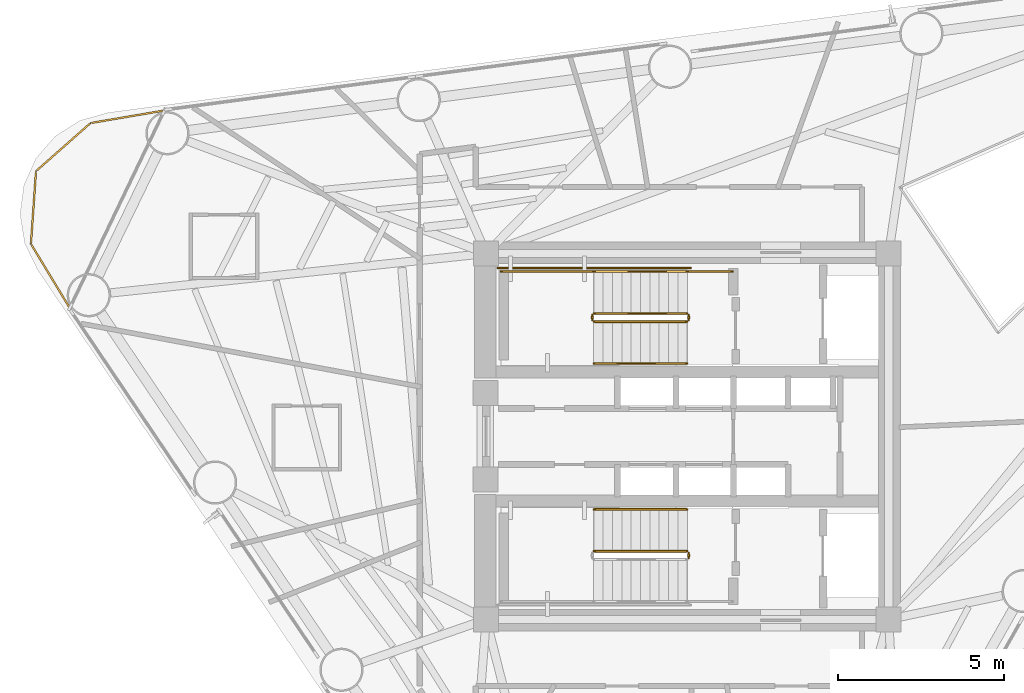
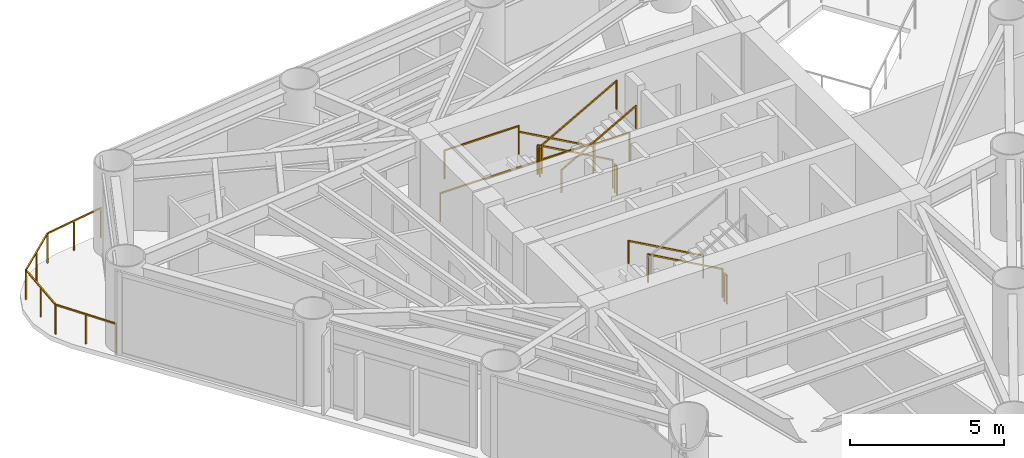
# One storey, part 8 of 9: 13 railings.
"""IFC4 building model written with IfcOpenShell, lengths in metres."""

from ifc_helpers import new_model, si_unit, direction, frame, origin, origin_2d, place, context, subcontext, project, spatial, rectangle, extrude, material, type_object, element, save


model = new_model("IFC4")

# Units and contexts
model_context = context("Model", 3, precision=1e-05, world=origin(), true_north=direction((0.0, 1.0)))
body_context = subcontext(model_context, "Body", "Model", "MODEL_VIEW")
ifc_project = project(units=[si_unit("LENGTHUNIT", "METRE"), si_unit("AREAUNIT", "SQUARE_METRE"), si_unit("VOLUMEUNIT", "CUBIC_METRE"), si_unit("PLANEANGLEUNIT", "RADIAN"), si_unit("MASSUNIT", "GRAM", prefix="KILO")], contexts=[model_context])

# Site, building, storey
site_placement = place(None, origin())
site = spatial("IfcSite", under=ifc_project, at=site_placement, CompositionType="ELEMENT")
building_placement = place(site_placement, origin())
building = spatial("IfcBuilding", under=site, at=building_placement, Name="Yunling Apex Tower", CompositionType="ELEMENT")
storey_placement = place(building_placement, frame((0.0, 0.0, 162.199951171875)))
storey = spatial("IfcBuildingStorey", under=building, at=storey_placement, Name="L39", CompositionType="ELEMENT", Elevation=162.199951171875)

# Railings
ifc_material_1 = material(Name="Bronze anodised aluminium", Category="aluminium")
railing_type_1 = type_object("IfcRailingType", Name="RL-BAL-1200", PredefinedType="BALUSTRADE", material=ifc_material_1)
railing_1_placement = place(storey_placement, frame((-18.567138671875, 3.859375, 0.0)))
element("IfcRailing", 1, at=railing_1_placement, inside=storey, type_object=railing_type_1, Name="RL-CRNSILL-L39-2", PredefinedType="BALUSTRADE", context=body_context, shape_type="SweptSolid", body=[
    extrude(rectangle(XDim=0.0439453125, YDim=0.0439453125, at=origin_2d()), origin(), (0.0, 0.0, 1.0), 1.199951171875),
    extrude(rectangle(XDim=0.0439453125, YDim=0.0439453125, at=origin_2d()), frame((-1.1669921875, 1.927001953125, 0.0)), (0.0, 0.0, 1.0), 1.199951171875),
    extrude(rectangle(XDim=0.050048828125, YDim=0.050048828125, at=origin_2d()), frame((-0.019775390625, 0.03271484375, 1.1748046875), z_axis=(-0.518013473605, 0.855372457566, 0.0), x_axis=(-0.855372457566, -0.518013473605, 0.0)), (0.0, 0.0, 1.0), 2.17626953125),
    extrude(rectangle(XDim=0.0439453125, YDim=0.0439453125, at=origin_2d()), frame((-0.58349609375, 0.96337890625, 0.0)), (0.0, 0.0, 1.0), 1.14599609375),
    extrude(rectangle(XDim=0.0439453125, YDim=0.0439453125, at=origin_2d()), frame((-1.015380859375, 4.114501953125, 0.0)), (0.0, 0.0, 1.0), 1.199951171875),
    extrude(rectangle(XDim=0.050048828125, YDim=0.050048828125, at=origin_2d()), frame((-1.164306640625, 1.96533203125, 1.1748046875), z_axis=(0.069142168872, 0.997606816578, 0.0), x_axis=(-0.997606816578, 0.069142168872, 0.0)), (0.0, 0.0, 1.0), 2.115966796875),
    extrude(rectangle(XDim=0.0439453125, YDim=0.0439453125, at=origin_2d()), frame((-1.09130859375, 3.020751953125, 0.0)), (0.0, 0.0, 1.0), 1.14599609375),
    extrude(rectangle(XDim=0.0439453125, YDim=0.0439453125, at=origin_2d()), frame((0.623046875, 5.560791015625, 0.0)), (0.0, 0.0, 1.0), 1.199951171875),
    extrude(rectangle(XDim=0.050048828125, YDim=0.050048828125, at=origin_2d()), frame((-0.986572265625, 4.139892578125, 1.1748046875), z_axis=(0.749697655483, 0.661780496361, 0.0), x_axis=(-0.661780496361, 0.749697655483, 0.0)), (0.0, 0.0, 1.0), 2.10888671875),
    extrude(rectangle(XDim=0.0439453125, YDim=0.0439453125, at=origin_2d()), frame((-0.1962890625, 4.837646484375, 0.0)), (0.0, 0.0, 1.0), 1.14599609375),
    extrude(rectangle(XDim=0.0439453125, YDim=0.0439453125, at=origin_2d()), frame((2.8447265625, 5.93896484375, 0.0)), (0.0, 0.0, 1.0), 1.199951171875),
    extrude(rectangle(XDim=0.050048828125, YDim=0.050048828125, at=origin_2d()), frame((0.660888671875, 5.567138671875, 1.1748046875), z_axis=(0.985820025914, 0.167806068147, 0.0), x_axis=(-0.167806068147, 0.985820025914, 0.0)), (0.0, 0.0, 1.0), 2.177001953125),
    extrude(rectangle(XDim=0.0439453125, YDim=0.0439453125, at=origin_2d()), frame((1.73388671875, 5.75, 0.0)), (0.0, 0.0, 1.0), 1.14599609375),
])
ifc_material_2 = material(Name="Steel Q355B", Category="steel")
railing_type_2 = type_object("IfcRailingType", Name="RL-GRD-1150", PredefinedType="GUARDRAIL", material=ifc_material_2)
railing_2_placement = place(storey_placement, frame((-0.010009765625, 3.699951171875, 0.156982421875)))
element("IfcRailing", 2, at=railing_2_placement, inside=storey, type_object=railing_type_2, Name="L39 ST-1 stair guard 1", PredefinedType="GUARDRAIL", context=body_context, shape_type="SweptSolid", body=[
    extrude(rectangle(XDim=0.0439453125, YDim=0.0439453125, at=origin_2d()), origin(), (0.0, 0.0, 1.0), 1.14990234375),
    extrude(rectangle(XDim=0.0439453125, YDim=0.0439453125, at=origin_2d()), frame((-2.800048828125, 0.0, 1.568115234375)), (0.0, 0.0, 1.0), 1.14990234375),
    extrude(rectangle(XDim=0.050048828125, YDim=0.050048828125, at=origin_2d()), frame((-0.033447265625, 0.0, 1.1435546875), z_axis=(-0.872494340497, 0.0, 0.48862421737), x_axis=(0.0, -1.0, 0.0)), (0.0, 0.0, 1.0), 3.132568359375),
])
railing_3_placement = place(storey_placement, frame((-2.860107421875, 3.64990234375, 1.72509765625)))
element("IfcRailing", 3, at=railing_3_placement, inside=storey, type_object=railing_type_2, Name="L39 ST-1 stair guard 2", PredefinedType="GUARDRAIL", context=body_context, shape_type="SweptSolid", body=[
    extrude(rectangle(XDim=0.0439453125, YDim=0.0439453125, at=origin_2d()), origin(), (0.0, 0.0, 1.0), 1.14990234375),
    extrude(rectangle(XDim=0.0439453125, YDim=0.0439453125, at=origin_2d()), frame((0.0, -0.14990234375, 0.0)), (0.0, 0.0, 1.0), 1.14990234375),
    extrude(rectangle(XDim=0.050048828125, YDim=0.050048828125, at=origin_2d()), frame((0.0, -0.038330078125, 1.125), z_axis=(0.0, -1.0, 0.0), x_axis=(1.0, 0.0, 0.0)), (0.0, 0.0, 1.0), 0.0732421875),
])
railing_4_placement = place(storey_placement, frame((-2.81005859375, 4.9599609375, 1.72509765625)))
element("IfcRailing", 4, at=railing_4_placement, inside=storey, type_object=railing_type_2, Name="L39 ST-1 stair guard 3", PredefinedType="GUARDRAIL", context=body_context, shape_type="SweptSolid", body=[
    extrude(rectangle(XDim=0.0439453125, YDim=0.0439453125, at=origin_2d()), origin(), (0.0, 0.0, 1.0), 1.14990234375),
    extrude(rectangle(XDim=0.0439453125, YDim=0.0439453125, at=origin_2d()), frame((-2.7900390625, 0.0, 0.0)), (0.0, 0.0, 1.0), 1.14990234375),
    extrude(rectangle(XDim=0.050048828125, YDim=0.050048828125, at=origin_2d()), frame((-0.038330078125, 0.0, 1.125), z_axis=(-1.0, 0.0, 0.0), x_axis=(0.0, -1.0, 0.0)), (0.0, 0.0, 1.0), 2.71337890625),
])
railing_5_placement = place(storey_placement, frame((-2.81005859375, 3.449951171875, 1.8818359375)))
element("IfcRailing", 5, at=railing_5_placement, inside=storey, type_object=railing_type_2, Name="L39 ST-1 stair guard 4", PredefinedType="GUARDRAIL", context=body_context, shape_type="SweptSolid", body=[
    extrude(rectangle(XDim=0.0439453125, YDim=0.0439453125, at=origin_2d()), origin(), (0.0, 0.0, 1.0), 1.14990234375),
    extrude(rectangle(XDim=0.0439453125, YDim=0.0439453125, at=origin_2d()), frame((2.800048828125, 0.0, 1.568115234375)), (0.0, 0.0, 1.0), 1.14990234375),
    extrude(rectangle(XDim=0.050048828125, YDim=0.050048828125, at=origin_2d()), frame((0.033447265625, 0.0, 1.1435546875), z_axis=(0.872494340497, 0.0, 0.48862421737), x_axis=(0.0, 1.0, 0.0)), (0.0, 0.0, 1.0), 3.132568359375),
])
railing_6_placement = place(storey_placement, frame((0.0400390625, 3.64990234375, 0.0)))
element("IfcRailing", 6, at=railing_6_placement, inside=storey, type_object=railing_type_2, Name="L39 ST-1 stair guard 5", PredefinedType="GUARDRAIL", context=body_context, shape_type="SweptSolid", body=[
    extrude(rectangle(XDim=0.0439453125, YDim=0.0439453125, at=origin_2d()), origin(), (0.0, 0.0, 1.0), 1.14990234375),
    extrude(rectangle(XDim=0.0439453125, YDim=0.0439453125, at=origin_2d()), frame((0.0, -0.14990234375, 0.0)), (0.0, 0.0, 1.0), 1.14990234375),
    extrude(rectangle(XDim=0.050048828125, YDim=0.050048828125, at=origin_2d()), frame((0.0, -0.038330078125, 1.125), z_axis=(0.0, -1.0, 0.0), x_axis=(1.0, 0.0, 0.0)), (0.0, 0.0, 1.0), 0.0732421875),
])
railing_7_placement = place(storey_placement, frame((1.35009765625, 4.9599609375, 0.0)))
element("IfcRailing", 7, at=railing_7_placement, inside=storey, type_object=railing_type_2, Name="L39 ST-1 stair guard 6", PredefinedType="GUARDRAIL", context=body_context, shape_type="SweptSolid", body=[
    extrude(rectangle(XDim=0.0439453125, YDim=0.0439453125, at=origin_2d()), origin(), (0.0, 0.0, 1.0), 1.14990234375),
    extrude(rectangle(XDim=0.0439453125, YDim=0.0439453125, at=origin_2d()), frame((-1.360107421875, 0.0, 0.0)), (0.0, 0.0, 1.0), 1.14990234375),
    extrude(rectangle(XDim=0.050048828125, YDim=0.050048828125, at=origin_2d()), frame((-0.038330078125, 0.0, 1.125), z_axis=(-1.0, 0.0, 0.0), x_axis=(0.0, -1.0, 0.0)), (0.0, 0.0, 1.0), 1.283447265625),
])
railing_8_placement = place(storey_placement, frame((0.090087890625, 5.06005859375, 0.0)))
element("IfcRailing", 8, at=railing_8_placement, inside=storey, type_object=railing_type_2, Name="L39 ST-1 stair guard 7", PredefinedType="GUARDRAIL", context=body_context, shape_type="SweptSolid", body=[
    extrude(rectangle(XDim=0.0439453125, YDim=0.0439453125, at=origin_2d()), origin(), (0.0, 0.0, 1.0), 1.14990234375),
    extrude(rectangle(XDim=0.0439453125, YDim=0.0439453125, at=origin_2d()), frame((-5.7900390625, 0.0, 0.0)), (0.0, 0.0, 1.0), 1.14990234375),
    extrude(rectangle(XDim=0.050048828125, YDim=0.050048828125, at=origin_2d()), frame((-0.038330078125, 0.0, 1.125), z_axis=(-1.0, 0.0, 0.0), x_axis=(0.0, -1.0, 0.0)), (0.0, 0.0, 1.0), 5.71337890625),
])
railing_9_placement = place(storey_placement, frame((-0.010009765625, -3.449951171875, 0.156982421875)))
element("IfcRailing", 9, at=railing_9_placement, inside=storey, type_object=railing_type_2, Name="L39 ST-2 stair guard 1", PredefinedType="GUARDRAIL", context=body_context, shape_type="SweptSolid", body=[
    extrude(rectangle(XDim=0.0439453125, YDim=0.0439453125, at=origin_2d()), origin(), (0.0, 0.0, 1.0), 1.14990234375),
    extrude(rectangle(XDim=0.0439453125, YDim=0.0439453125, at=origin_2d()), frame((-2.800048828125, 0.0, 1.568115234375)), (0.0, 0.0, 1.0), 1.14990234375),
    extrude(rectangle(XDim=0.050048828125, YDim=0.050048828125, at=origin_2d()), frame((-0.033447265625, 0.0, 1.1435546875), z_axis=(-0.872494340497, 0.0, 0.48862421737), x_axis=(0.0, -1.0, 0.0)), (0.0, 0.0, 1.0), 3.132568359375),
])
railing_10_placement = place(storey_placement, frame((0.0400390625, -3.5, 0.0)))
element("IfcRailing", 10, at=railing_10_placement, inside=storey, type_object=railing_type_2, Name="L39 ST-2 stair guard 5", PredefinedType="GUARDRAIL", context=body_context, shape_type="SweptSolid", body=[
    extrude(rectangle(XDim=0.0439453125, YDim=0.0439453125, at=origin_2d()), origin(), (0.0, 0.0, 1.0), 1.14990234375),
    extrude(rectangle(XDim=0.0439453125, YDim=0.0439453125, at=origin_2d()), frame((0.0, -0.14990234375, 0.0)), (0.0, 0.0, 1.0), 1.14990234375),
    extrude(rectangle(XDim=0.050048828125, YDim=0.050048828125, at=origin_2d()), frame((0.0, -0.038330078125, 1.125), z_axis=(0.0, -1.0, 0.0), x_axis=(1.0, 0.0, 0.0)), (0.0, 0.0, 1.0), 0.0732421875),
])
ifc_material_3 = material(Name="Silver anodised aluminium", Category="aluminium")
railing_type_3 = type_object("IfcRailingType", Name="RL-HND-900", PredefinedType="HANDRAIL", material=ifc_material_3)
railing_11_placement = place(storey_placement, frame((-0.010009765625, 4.9599609375, 0.156982421875)))
element("IfcRailing", 11, at=railing_11_placement, inside=storey, type_object=railing_type_3, Name="L39 ST-1 stair handrail 1", PredefinedType="HANDRAIL", context=body_context, shape_type="SweptSolid", body=[
    extrude(rectangle(XDim=0.0439453125, YDim=0.0439453125, at=origin_2d()), origin(), (0.0, 0.0, 1.0), 0.919921875),
    extrude(rectangle(XDim=0.0439453125, YDim=0.0439453125, at=origin_2d()), frame((-2.800048828125, 0.0, 1.568115234375)), (0.0, 0.0, 1.0), 0.919921875),
    extrude(rectangle(XDim=0.050048828125, YDim=0.050048828125, at=origin_2d()), frame((-0.033447265625, 0.0, 0.91357421875), z_axis=(-0.872494340497, 0.0, 0.48862421737), x_axis=(0.0, -1.0, 0.0)), (0.0, 0.0, 1.0), 3.132568359375),
])
railing_12_placement = place(storey_placement, frame((-2.81005859375, 2.18994140625, 1.8818359375)))
element("IfcRailing", 12, at=railing_12_placement, inside=storey, type_object=railing_type_3, Name="L39 ST-1 stair handrail 2", PredefinedType="HANDRAIL", context=body_context, shape_type="SweptSolid", body=[
    extrude(rectangle(XDim=0.0439453125, YDim=0.0439453125, at=origin_2d()), origin(), (0.0, 0.0, 1.0), 0.919921875),
    extrude(rectangle(XDim=0.0439453125, YDim=0.0439453125, at=origin_2d()), frame((2.800048828125, 0.0, 1.568115234375)), (0.0, 0.0, 1.0), 0.919921875),
    extrude(rectangle(XDim=0.050048828125, YDim=0.050048828125, at=origin_2d()), frame((0.033447265625, 0.0, 0.91357421875), z_axis=(0.872494340497, 0.0, 0.48862421737), x_axis=(0.0, 1.0, 0.0)), (0.0, 0.0, 1.0), 3.132568359375),
])
railing_13_placement = place(storey_placement, frame((-0.010009765625, -2.18994140625, 0.156982421875)))
element("IfcRailing", 13, at=railing_13_placement, inside=storey, type_object=railing_type_3, Name="L39 ST-2 stair handrail 1", PredefinedType="HANDRAIL", context=body_context, shape_type="SweptSolid", body=[
    extrude(rectangle(XDim=0.0439453125, YDim=0.0439453125, at=origin_2d()), origin(), (0.0, 0.0, 1.0), 0.919921875),
    extrude(rectangle(XDim=0.0439453125, YDim=0.0439453125, at=origin_2d()), frame((-2.800048828125, 0.0, 1.568115234375)), (0.0, 0.0, 1.0), 0.919921875),
    extrude(rectangle(XDim=0.050048828125, YDim=0.050048828125, at=origin_2d()), frame((-0.033447265625, 0.0, 0.91357421875), z_axis=(-0.872494340497, 0.0, 0.48862421737), x_axis=(0.0, -1.0, 0.0)), (0.0, 0.0, 1.0), 3.132568359375),
])

save(model, "model.ifc")
